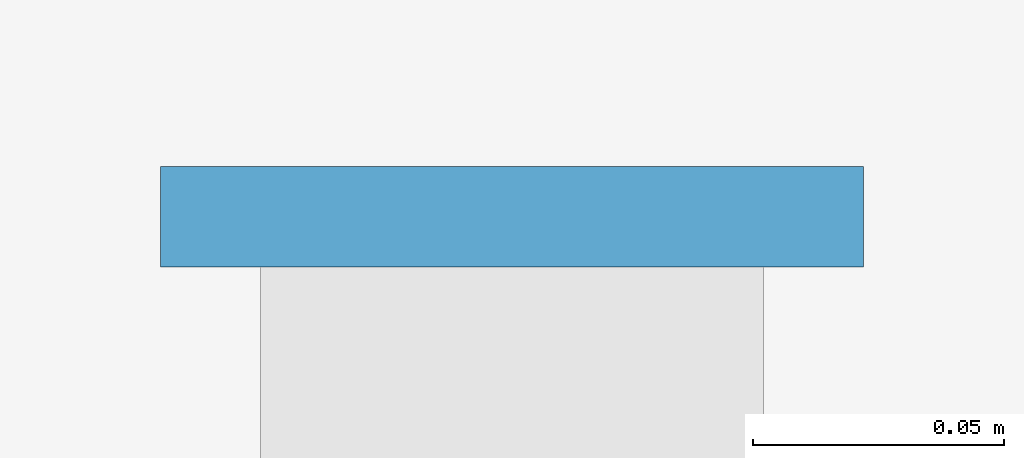
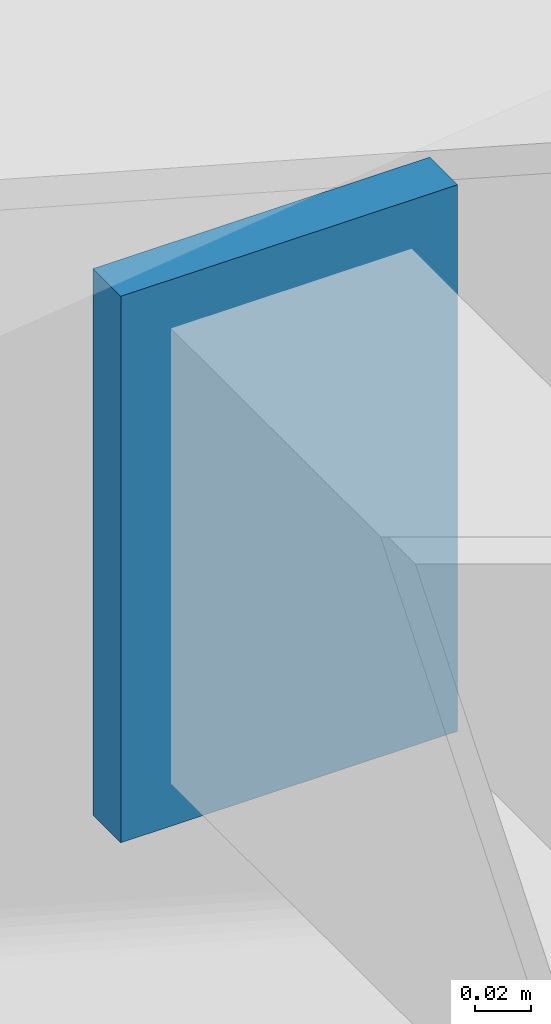
# One storey, part 8 of 8: 1 plate.
"""IFC4 building model written with IfcOpenShell, lengths in metres."""

from ifc_helpers import new_model, si_unit, direction, frame, origin, origin_2d, place, context, subcontext, project, spatial, rectangle, extrude, source, transform, mapped, material, layer, layer_set, type_object, element, save


model = new_model("IFC4")

# Units and contexts
model_context = context("Model", 3, precision=1e-05, world=origin(), true_north=direction((0.0, 1.0)))
body_context = subcontext(model_context, "Body", "Model", "MODEL_VIEW")
ifc_project = project(units=[si_unit("LENGTHUNIT", "METRE"), si_unit("AREAUNIT", "SQUARE_METRE"), si_unit("VOLUMEUNIT", "CUBIC_METRE"), si_unit("PLANEANGLEUNIT", "RADIAN"), si_unit("MASSUNIT", "GRAM", prefix="KILO"), si_unit("THERMODYNAMICTEMPERATUREUNIT", "KELVIN"), si_unit("POWERUNIT", "WATT")], contexts=[model_context])

# Site, building, storey
site_placement = place(None, origin())
site = spatial("IfcSite", under=ifc_project, at=site_placement, CompositionType="ELEMENT")
building_placement = place(site_placement, origin())
building = spatial("IfcBuilding", under=site, at=building_placement, Name="Qiaomeng Ring Towers", CompositionType="ELEMENT")
storey_placement = place(building_placement, frame((0.0, 0.0, 267.75)))
storey = spatial("IfcBuildingStorey", under=building, at=storey_placement, Name="Roof", CompositionType="ELEMENT", Elevation=267.75)

# Plate
ifc_material = material(Name="Steel Q355B", Category="steel")
ifc_layer = layer(ifc_material, 0.02001953125, Name="Steel Q355B")
ifc_layer_set = layer_set([ifc_layer], Name="Steel Q355B")
plate_type = type_object("IfcPlateType", Name="STR-PL-CAP", PredefinedType="USERDEFINED", material=ifc_layer_set)
shared_shape = source(origin(), body_context, "Body", "SweptSolid", [
    extrude(rectangle(XDim=0.139892578125, YDim=0.02001953125, at=origin_2d()), origin(), (0.0, 0.0, 1.0), 0.239990234375),
])
plate_placement = place(storey_placement, frame((29.5, 37.159912109375, 11.48974609375), z_axis=(0.0, 0.0, 1.0), x_axis=(1.0, 0.0, 0.0)))
element("IfcPlate", 1, at=plate_placement, inside=storey, type_object=plate_type, Name="Crown Roof Purlin PR1-5 End Cap Plate N", ObjectType="END CAP PLATE", PredefinedType="USERDEFINED", context=body_context, shape_type="MappedRepresentation", body=[
    mapped(shared_shape, transform((0.0, 0.0, 0.0), x_axis=(1.0, 0.0, 0.0), y_axis=(0.0, 1.0, 0.0), z_axis=(0.0, 0.0, 1.0), scale=1.0)),
])

save(model, "model.ifc")
